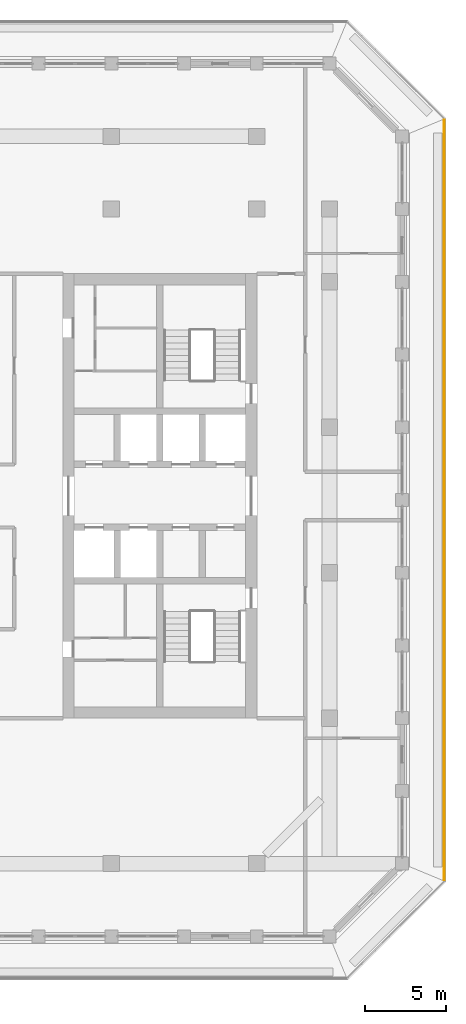
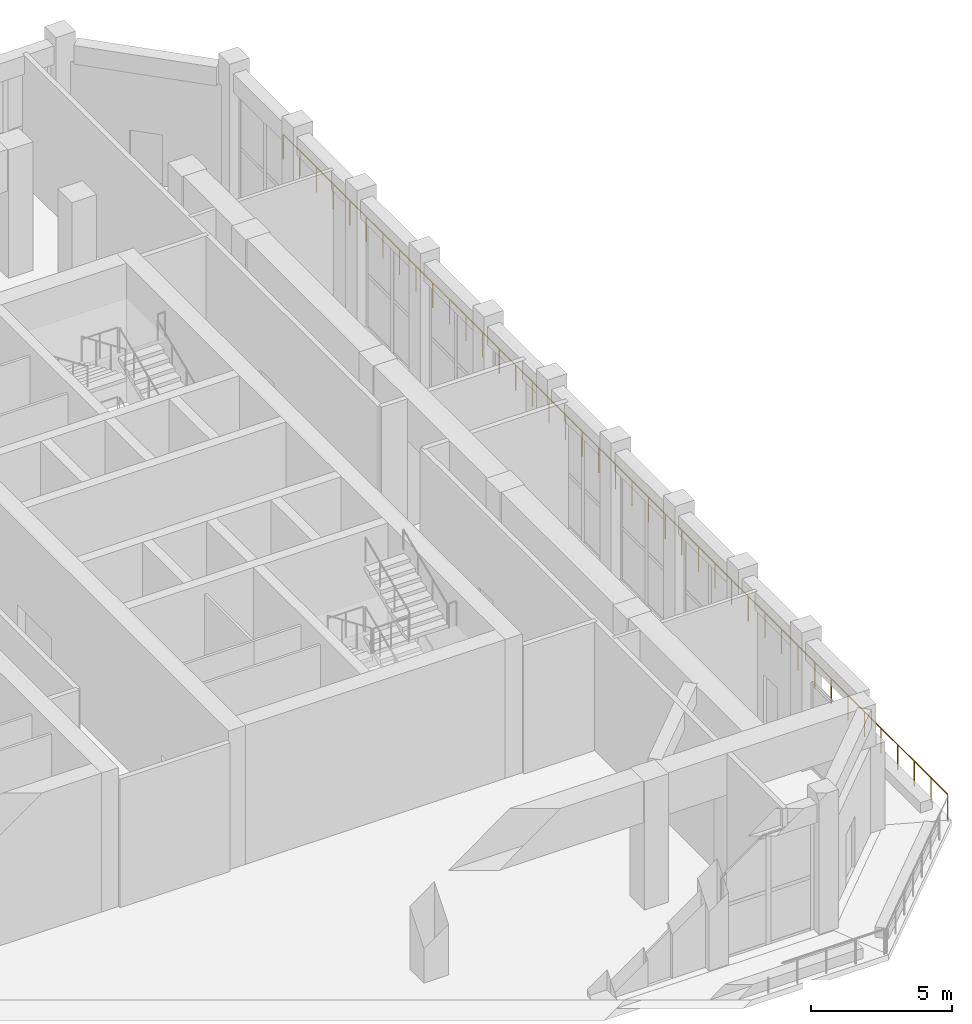
# One storey, part 21 of 25: 1 railing.
"""IFC4 building model written with IfcOpenShell, lengths in metres."""

from ifc_helpers import new_model, si_unit, direction, frame, origin, origin_2d, place, context, subcontext, project, spatial, circle, extrude, material, type_object, element, save


model = new_model("IFC4")

# Units and contexts
model_context = context("Model", 3, precision=1e-05, world=origin(), true_north=direction((0.0, 1.0)))
body_context = subcontext(model_context, "Body", "Model", "MODEL_VIEW")
ifc_project = project(units=[si_unit("LENGTHUNIT", "METRE"), si_unit("AREAUNIT", "SQUARE_METRE"), si_unit("VOLUMEUNIT", "CUBIC_METRE"), si_unit("PLANEANGLEUNIT", "RADIAN"), si_unit("MASSUNIT", "GRAM", prefix="KILO")], contexts=[model_context])

# Site, building, storey
site_placement = place(None, origin())
site = spatial("IfcSite", under=ifc_project, at=site_placement, CompositionType="ELEMENT")
building_placement = place(site_placement, origin())
building = spatial("IfcBuilding", under=site, at=building_placement, Name="Corbel Stack Research Tower", CompositionType="ELEMENT")
storey_placement = place(building_placement, frame((0.0, 0.0, 260.300048828125)))
storey = spatial("IfcBuildingStorey", under=building, at=storey_placement, Name="L59", CompositionType="ELEMENT", Elevation=260.300048828125)

# Railing
ifc_material = material(Name="Powder-coated steel guard", Category="steel")
railing_type = type_object("IfcRailingType", Name="Steel and glass guard 1100", PredefinedType="GUARDRAIL", material=ifc_material)
railing_placement = place(storey_placement, frame((29.60009765625, -19.00537109375, 0.0)))
element("IfcRailing", 1, at=railing_placement, inside=storey, type_object=railing_type, Name="Loggia guard L59 E", PredefinedType="GUARDRAIL", context=body_context, shape_type="SweptSolid", body=[
    extrude(circle(Radius=0.02392578125, at=origin_2d()), frame((0.0, 0.0, 1.076171875), z_axis=(0.0, 1.0, 0.0), x_axis=(-1.0, 0.0, 0.0)), (0.0, 0.0, 1.0), 47.0107421875),
    extrude(circle(Radius=0.02099609375, at=origin_2d()), origin(), (0.0, 0.0, 1.0), 1.052001953125),
    extrude(circle(Radius=0.02099609375, at=origin_2d()), frame((0.0, 1.17529296875, 0.0)), (0.0, 0.0, 1.0), 1.052001953125),
    extrude(circle(Radius=0.02099609375, at=origin_2d()), frame((0.0, 2.3505859375, 0.0)), (0.0, 0.0, 1.0), 1.052001953125),
    extrude(circle(Radius=0.02099609375, at=origin_2d()), frame((0.0, 3.52587890625, 0.0)), (0.0, 0.0, 1.0), 1.052001953125),
    extrude(circle(Radius=0.02099609375, at=origin_2d()), frame((0.0, 4.701171875, 0.0)), (0.0, 0.0, 1.0), 1.052001953125),
    extrude(circle(Radius=0.02099609375, at=origin_2d()), frame((0.0, 5.87646484375, 0.0)), (0.0, 0.0, 1.0), 1.052001953125),
    extrude(circle(Radius=0.02099609375, at=origin_2d()), frame((0.0, 7.051513671875, 0.0)), (0.0, 0.0, 1.0), 1.052001953125),
    extrude(circle(Radius=0.02099609375, at=origin_2d()), frame((0.0, 8.226806640625, 0.0)), (0.0, 0.0, 1.0), 1.052001953125),
    extrude(circle(Radius=0.02099609375, at=origin_2d()), frame((0.0, 9.402099609375, 0.0)), (0.0, 0.0, 1.0), 1.052001953125),
    extrude(circle(Radius=0.02099609375, at=origin_2d()), frame((0.0, 10.577392578125, 0.0)), (0.0, 0.0, 1.0), 1.052001953125),
    extrude(circle(Radius=0.02099609375, at=origin_2d()), frame((0.0, 11.752685546875, 0.0)), (0.0, 0.0, 1.0), 1.052001953125),
    extrude(circle(Radius=0.02099609375, at=origin_2d()), frame((0.0, 12.927978515625, 0.0)), (0.0, 0.0, 1.0), 1.052001953125),
    extrude(circle(Radius=0.02099609375, at=origin_2d()), frame((0.0, 14.103271484375, 0.0)), (0.0, 0.0, 1.0), 1.052001953125),
    extrude(circle(Radius=0.02099609375, at=origin_2d()), frame((0.0, 15.278564453125, 0.0)), (0.0, 0.0, 1.0), 1.052001953125),
    extrude(circle(Radius=0.02099609375, at=origin_2d()), frame((0.0, 16.453857421875, 0.0)), (0.0, 0.0, 1.0), 1.052001953125),
    extrude(circle(Radius=0.02099609375, at=origin_2d()), frame((0.0, 17.62890625, 0.0)), (0.0, 0.0, 1.0), 1.052001953125),
    extrude(circle(Radius=0.02099609375, at=origin_2d()), frame((0.0, 18.80419921875, 0.0)), (0.0, 0.0, 1.0), 1.052001953125),
    extrude(circle(Radius=0.02099609375, at=origin_2d()), frame((0.0, 19.9794921875, 0.0)), (0.0, 0.0, 1.0), 1.052001953125),
    extrude(circle(Radius=0.02099609375, at=origin_2d()), frame((0.0, 21.15478515625, 0.0)), (0.0, 0.0, 1.0), 1.052001953125),
    extrude(circle(Radius=0.02099609375, at=origin_2d()), frame((0.0, 22.330078125, 0.0)), (0.0, 0.0, 1.0), 1.052001953125),
    extrude(circle(Radius=0.02099609375, at=origin_2d()), frame((0.0, 23.50537109375, 0.0)), (0.0, 0.0, 1.0), 1.052001953125),
    extrude(circle(Radius=0.02099609375, at=origin_2d()), frame((0.0, 24.6806640625, 0.0)), (0.0, 0.0, 1.0), 1.052001953125),
    extrude(circle(Radius=0.02099609375, at=origin_2d()), frame((0.0, 25.85595703125, 0.0)), (0.0, 0.0, 1.0), 1.052001953125),
    extrude(circle(Radius=0.02099609375, at=origin_2d()), frame((0.0, 27.03125, 0.0)), (0.0, 0.0, 1.0), 1.052001953125),
    extrude(circle(Radius=0.02099609375, at=origin_2d()), frame((0.0, 28.20654296875, 0.0)), (0.0, 0.0, 1.0), 1.052001953125),
    extrude(circle(Radius=0.02099609375, at=origin_2d()), frame((0.0, 29.3818359375, 0.0)), (0.0, 0.0, 1.0), 1.052001953125),
    extrude(circle(Radius=0.02099609375, at=origin_2d()), frame((0.0, 30.556884765625, 0.0)), (0.0, 0.0, 1.0), 1.052001953125),
    extrude(circle(Radius=0.02099609375, at=origin_2d()), frame((0.0, 31.732177734375, 0.0)), (0.0, 0.0, 1.0), 1.052001953125),
    extrude(circle(Radius=0.02099609375, at=origin_2d()), frame((0.0, 32.907470703125, 0.0)), (0.0, 0.0, 1.0), 1.052001953125),
    extrude(circle(Radius=0.02099609375, at=origin_2d()), frame((0.0, 34.082763671875, 0.0)), (0.0, 0.0, 1.0), 1.052001953125),
    extrude(circle(Radius=0.02099609375, at=origin_2d()), frame((0.0, 35.258056640625, 0.0)), (0.0, 0.0, 1.0), 1.052001953125),
    extrude(circle(Radius=0.02099609375, at=origin_2d()), frame((0.0, 36.433349609375, 0.0)), (0.0, 0.0, 1.0), 1.052001953125),
    extrude(circle(Radius=0.02099609375, at=origin_2d()), frame((0.0, 37.608642578125, 0.0)), (0.0, 0.0, 1.0), 1.052001953125),
    extrude(circle(Radius=0.02099609375, at=origin_2d()), frame((0.0, 38.783935546875, 0.0)), (0.0, 0.0, 1.0), 1.052001953125),
    extrude(circle(Radius=0.02099609375, at=origin_2d()), frame((0.0, 39.959228515625, 0.0)), (0.0, 0.0, 1.0), 1.052001953125),
    extrude(circle(Radius=0.02099609375, at=origin_2d()), frame((0.0, 41.13427734375, 0.0)), (0.0, 0.0, 1.0), 1.052001953125),
    extrude(circle(Radius=0.02099609375, at=origin_2d()), frame((0.0, 42.3095703125, 0.0)), (0.0, 0.0, 1.0), 1.052001953125),
    extrude(circle(Radius=0.02099609375, at=origin_2d()), frame((0.0, 43.48486328125, 0.0)), (0.0, 0.0, 1.0), 1.052001953125),
    extrude(circle(Radius=0.02099609375, at=origin_2d()), frame((0.0, 44.66015625, 0.0)), (0.0, 0.0, 1.0), 1.052001953125),
    extrude(circle(Radius=0.02099609375, at=origin_2d()), frame((0.0, 45.83544921875, 0.0)), (0.0, 0.0, 1.0), 1.052001953125),
    extrude(circle(Radius=0.02099609375, at=origin_2d()), frame((0.0, 47.0107421875, 0.0)), (0.0, 0.0, 1.0), 1.052001953125),
])

save(model, "model.ifc")
